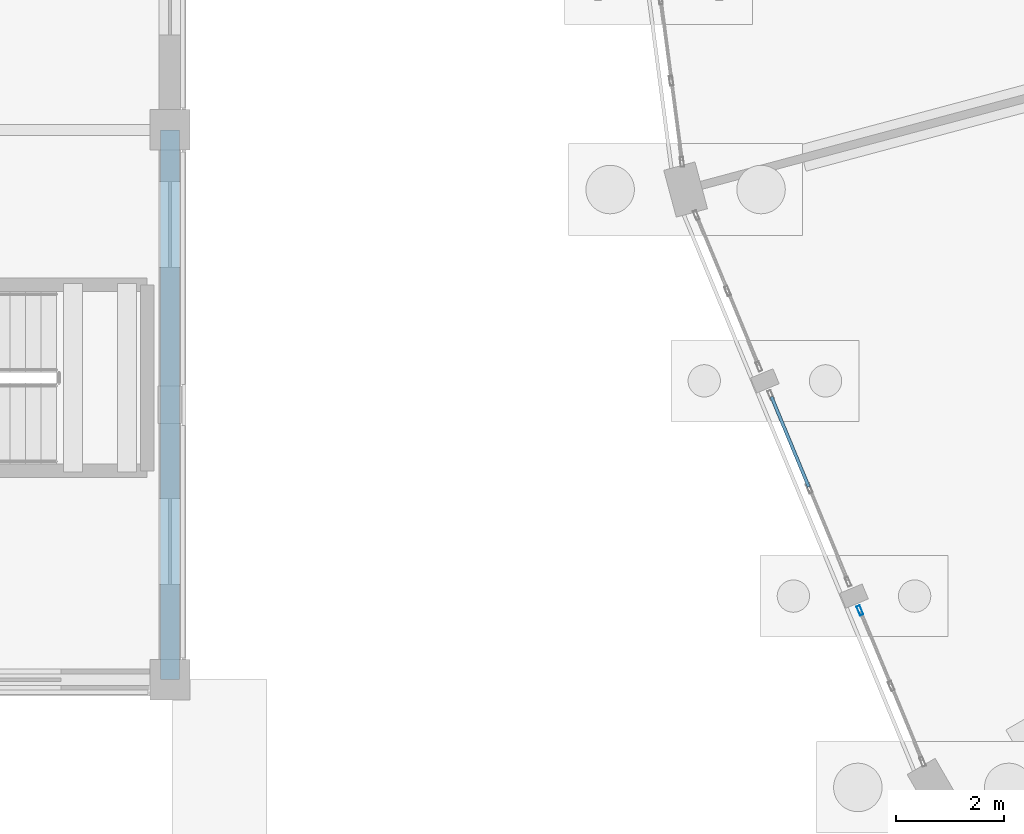
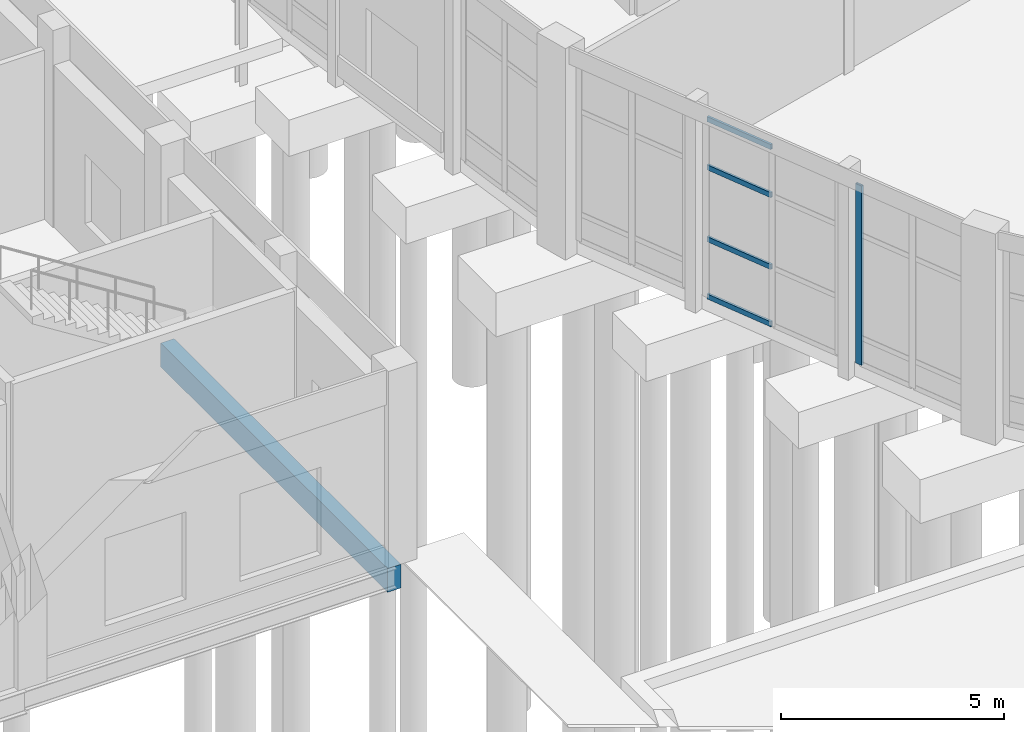
# One storey, part 30 of 137: 5 members, 1 beam, 2 elements without a shape of their own.
"""IFC4 building model written with IfcOpenShell, lengths in metres."""

from ifc_helpers import new_model, si_unit, direction, frame, origin, origin_2d, place, context, subcontext, project, spatial, rectangle, hollow_rectangle, extrude, material, material_profile, profile_set, type_object, element, aggregate, save


model = new_model("IFC4")

# Units and contexts
model_context = context("Model", 3, precision=1e-05, world=origin(), true_north=direction((0.0, 1.0)))
body_context = subcontext(model_context, "Body", "Model", "MODEL_VIEW")
ifc_project = project(units=[si_unit("LENGTHUNIT", "METRE"), si_unit("AREAUNIT", "SQUARE_METRE"), si_unit("VOLUMEUNIT", "CUBIC_METRE"), si_unit("PLANEANGLEUNIT", "RADIAN"), si_unit("MASSUNIT", "GRAM", prefix="KILO")], contexts=[model_context])

# Site, building, storey
site_placement = place(None, origin())
site = spatial("IfcSite", under=ifc_project, at=site_placement, CompositionType="ELEMENT")
building_placement = place(site_placement, origin())
building = spatial("IfcBuilding", under=site, at=building_placement, Name="Vondelvale Polytechnic", CompositionType="ELEMENT")
storey_placement = place(building_placement, origin())
storey = spatial("IfcBuildingStorey", under=building, at=storey_placement, Name="L00", CompositionType="ELEMENT", Elevation=0.0)

# Curtain wall, member
ifc_material_1 = material(Name="Glulam GL18 structural Tasmanian oak (fb = 42 MPa)", Category="wood")
curtain_wall_type = type_object("IfcCurtainWallType", Name="CW-RING-OUTER", PredefinedType="NOTDEFINED", material=ifc_material_1)
curtain_wall_1_placement = place(storey_placement, origin())
curtain_wall_1 = element("IfcCurtainWall", 1, at=curtain_wall_1_placement, inside=storey, type_object=curtain_wall_type, Name="L00 architectural curtain wall CW-04-278", PredefinedType="NOTDEFINED")
ifc_material_2 = material(Name="Anodised extruded aluminium 6063-T6", Category="aluminium")
ifc_material_profile_1 = material_profile(ifc_material_2, hollow_rectangle(XDim=0.06494140625, YDim=0.179931640625, WallThickness=0.00390625, at=origin_2d()), Name="CW-MUL-180x65")
ifc_profile_set_1 = profile_set([ifc_material_profile_1], Name="Anodised extruded aluminium 6063-T6")
member_type_1 = type_object("IfcMemberType", Name="CW-MUL-65x180", PredefinedType="MULLION", material=ifc_profile_set_1)
member_1_placement = place(storey_placement, frame((60.80224609375, 52.28466796875, 0.0), z_axis=(0.0, 0.0, 1.0), x_axis=(0.92388135159, 0.382679040691, 0.0)))
member_1 = element("IfcMember", 2, at=member_1_placement, type_object=member_type_1, Name="CW-04-278 mullion 1", PredefinedType="MULLION", context=body_context, shape_type="SweptSolid", body=[
    extrude(hollow_rectangle(XDim=0.06494140625, YDim=0.179931640625, WallThickness=0.00390625, at=origin_2d()), origin(), (0.0, 0.0, 1.0), 4.919921875),
])
aggregate(curtain_wall_1, [member_1])

# Curtain wall, members
curtain_wall_2_placement = place(storey_placement, origin())
curtain_wall_2 = element("IfcCurtainWall", 3, at=curtain_wall_2_placement, inside=storey, type_object=curtain_wall_type, Name="L00 architectural curtain wall CW-04-277", PredefinedType="NOTDEFINED")
ifc_material_profile_2 = material_profile(ifc_material_2, hollow_rectangle(XDim=0.06005859375, YDim=0.139892578125, WallThickness=0.00341796875, at=origin_2d()), Name="CW-TRN-140x60")
ifc_profile_set_2 = profile_set([ifc_material_profile_2], Name="Anodised extruded aluminium 6063-T6")
member_type_2 = type_object("IfcMemberType", Name="CW-TRN-60x140", PredefinedType="USERDEFINED", material=ifc_profile_set_2)
member_2_placement = place(storey_placement, frame((59.160400390625, 56.24853515625, 0.030029296875), z_axis=(0.382717291485, -0.923865506878, 0.0), x_axis=(0.923865506878, 0.382717291485, 0.0)))
member_2 = element("IfcMember", 4, at=member_2_placement, type_object=member_type_2, Name="CW-04-277 transom 1.1", ObjectType="TRANSOM", PredefinedType="USERDEFINED", context=body_context, shape_type="SweptSolid", body=[
    extrude(hollow_rectangle(XDim=0.06005859375, YDim=0.139892578125, WallThickness=0.00341796875, at=origin_2d()), origin(), (0.0, 0.0, 1.0), 1.80908203125),
])
member_3_placement = place(storey_placement, frame((59.160400390625, 56.24853515625, 1.60009765625), z_axis=(0.382717291485, -0.923865506878, 0.0), x_axis=(0.923865506878, 0.382717291485, 0.0)))
member_3 = element("IfcMember", 5, at=member_3_placement, type_object=member_type_2, Name="CW-04-277 transom 1.2", ObjectType="TRANSOM", PredefinedType="USERDEFINED", context=body_context, shape_type="SweptSolid", body=[
    extrude(hollow_rectangle(XDim=0.06005859375, YDim=0.139892578125, WallThickness=0.00341796875, at=origin_2d()), origin(), (0.0, 0.0, 1.0), 1.80908203125),
])
member_4_placement = place(storey_placement, frame((59.160400390625, 56.24853515625, 3.570068359375), z_axis=(0.382717291485, -0.923865506878, 0.0), x_axis=(0.923865506878, 0.382717291485, 0.0)))
member_4 = element("IfcMember", 6, at=member_4_placement, type_object=member_type_2, Name="CW-04-277 transom 1.3", ObjectType="TRANSOM", PredefinedType="USERDEFINED", context=body_context, shape_type="SweptSolid", body=[
    extrude(hollow_rectangle(XDim=0.06005859375, YDim=0.139892578125, WallThickness=0.00341796875, at=origin_2d()), origin(), (0.0, 0.0, 1.0), 1.80908203125),
])
member_5_placement = place(storey_placement, frame((59.160400390625, 56.24853515625, 4.889892578125), z_axis=(0.382717291485, -0.923865506878, 0.0), x_axis=(0.923865506878, 0.382717291485, 0.0)))
member_5 = element("IfcMember", 7, at=member_5_placement, type_object=member_type_2, Name="CW-04-277 transom 1.4", ObjectType="TRANSOM", PredefinedType="USERDEFINED", context=body_context, shape_type="SweptSolid", body=[
    extrude(hollow_rectangle(XDim=0.06005859375, YDim=0.139892578125, WallThickness=0.00341796875, at=origin_2d()), origin(), (0.0, 0.0, 1.0), 1.80908203125),
])
aggregate(curtain_wall_2, [member_2, member_3, member_4, member_5])

# Beam
ifc_material_3 = material(Name="Precast concrete N40 (f'c = 40 MPa)", Category="concrete")
ifc_material_profile_3 = material_profile(ifc_material_3, rectangle(XDim=0.35009765625, YDim=0.64990234375, at=origin_2d()), Name="RC-SPN-350x650")
ifc_profile_set_3 = profile_set([ifc_material_profile_3], Name="Precast concrete N40 (f'c = 40 MPa)")
beam_type = type_object("IfcBeamType", Name="SPN-PRE350x650", PredefinedType="SPANDREL", material=ifc_profile_set_3)
beam_placement = place(storey_placement, frame((48.0, 51.0, -0.625), z_axis=(0.0, 1.0, 0.0), x_axis=(-1.0, 0.0, 0.0)))
element("IfcBeam", 8, at=beam_placement, inside=storey, type_object=beam_type, Name="L00 B SP-02", PredefinedType="SPANDREL", context=body_context, shape_type="SweptSolid", body=[
    extrude(rectangle(XDim=0.35009765625, YDim=0.64990234375, at=origin_2d()), origin(), (0.0, 0.0, 1.0), 10.199951171875),
])

save(model, "model.ifc")
